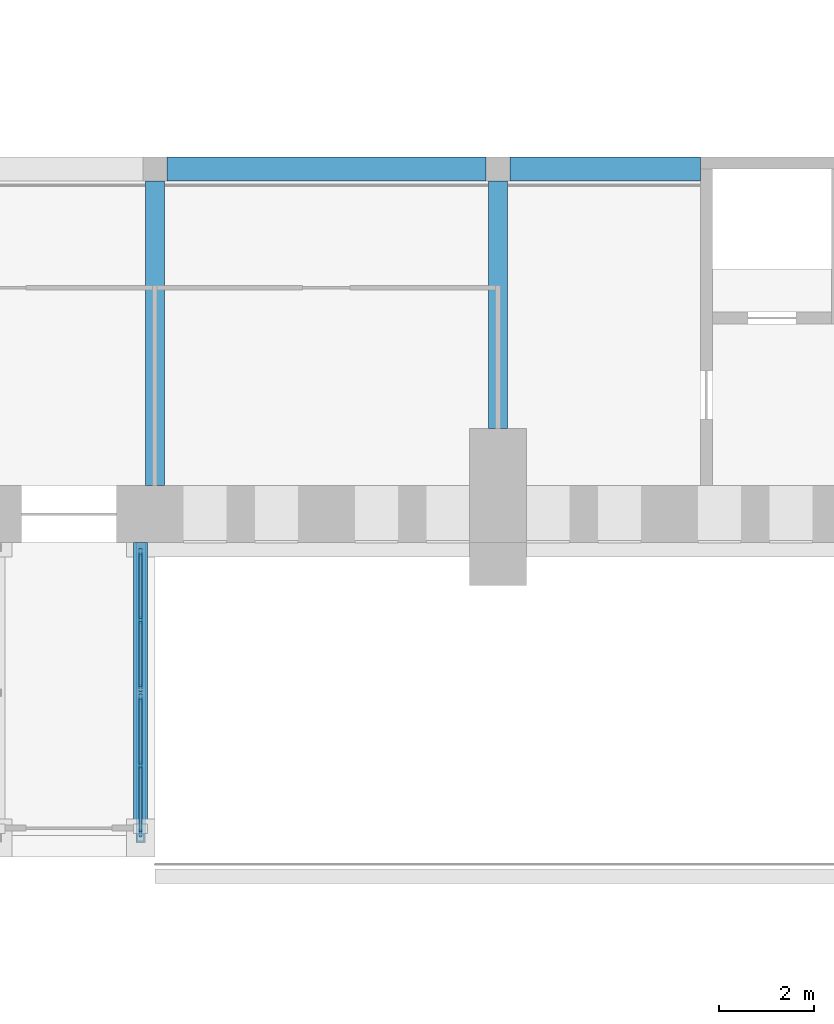
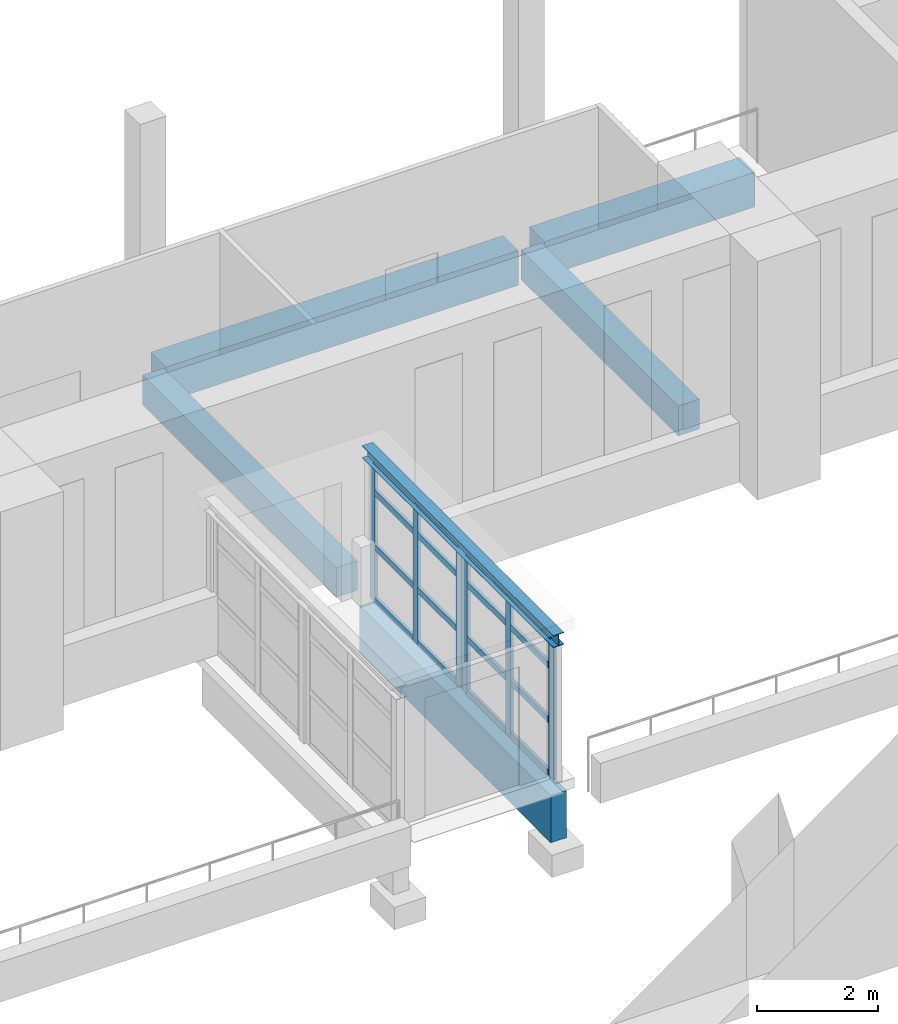
# One storey, part 49 of 131: 22 members, 6 beams, 2 elements without a shape of their own.
"""IFC4 building model written with IfcOpenShell, lengths in metres."""

from ifc_helpers import new_model, si_unit, direction, frame, origin, origin_2d, place, context, subcontext, project, spatial, rectangle, i_section, extrude, material, layer, layer_set, material_profile, profile_set, type_object, element, aggregate, save


model = new_model("IFC4")

# Units and contexts
model_context = context("Model", 3, precision=1e-05, world=origin(), true_north=direction((0.0, 1.0)))
body_context = subcontext(model_context, "Body", "Model", "MODEL_VIEW")
ifc_project = project(units=[si_unit("LENGTHUNIT", "METRE"), si_unit("AREAUNIT", "SQUARE_METRE"), si_unit("VOLUMEUNIT", "CUBIC_METRE"), si_unit("PLANEANGLEUNIT", "RADIAN"), si_unit("MASSUNIT", "GRAM", prefix="KILO")], contexts=[model_context])

# Site, building, storey
site_placement = place(None, origin())
site = spatial("IfcSite", under=ifc_project, at=site_placement, CompositionType="ELEMENT")
building_placement = place(site_placement, origin())
building = spatial("IfcBuilding", under=site, at=building_placement, Name="Alderwick Market Hall", CompositionType="ELEMENT")
storey_placement = place(building_placement, frame((0.0, 0.0, 4.800048828125)))
storey = spatial("IfcBuildingStorey", under=building, at=storey_placement, Name="L00", CompositionType="ELEMENT", Elevation=4.800048828125)

# Beams
ifc_material_1 = material(Name="Concrete 5000 psi (f'c 35 MPa)", Category="concrete")
ifc_material_profile_1 = material_profile(ifc_material_1, rectangle(XDim=0.5, YDim=0.699951171875, at=origin_2d()), Name="RC 500x700")
ifc_profile_set_1 = profile_set([ifc_material_profile_1], Name="Concrete 5000 psi (f'c 35 MPa)")
beam_type_1 = type_object("IfcBeamType", Name="H Edge beam 500x700", PredefinedType="BEAM", material=ifc_profile_set_1)
beam_1_placement = place(storey_placement, frame((129.85009765625, 57.639892578125, -0.60009765625), z_axis=(1.0, 0.0, 0.0), x_axis=(0.0, 1.0, 0.0)))
element("IfcBeam", 1, at=beam_1_placement, inside=storey, type_object=beam_type_1, Name="Gallery edge beam S", PredefinedType="BEAM", context=body_context, shape_type="SweptSolid", body=[
    extrude(rectangle(XDim=0.5, YDim=0.699951171875, at=origin_2d()), origin(), (0.0, 0.0, 1.0), 6.699951171875),
])
beam_2_placement = place(storey_placement, frame((137.050048828125, 57.639892578125, -0.60009765625), z_axis=(1.0, 0.0, 0.0), x_axis=(0.0, 1.0, 0.0)))
element("IfcBeam", 2, at=beam_2_placement, inside=storey, type_object=beam_type_1, Name="Gallery edge beam S", PredefinedType="BEAM", context=body_context, shape_type="SweptSolid", body=[
    extrude(rectangle(XDim=0.5, YDim=0.699951171875, at=origin_2d()), origin(), (0.0, 0.0, 1.0), 4.0),
])
ifc_material_profile_2 = material_profile(ifc_material_1, rectangle(XDim=0.39990234375, YDim=0.60009765625, at=origin_2d()), Name="RC 400x600")
ifc_profile_set_2 = profile_set([ifc_material_profile_2], Name="Concrete 5000 psi (f'c 35 MPa)")
beam_type_2 = type_object("IfcBeamType", Name="H Gallery beam 400x600", PredefinedType="BEAM", material=ifc_profile_set_2)
beam_3_placement = place(storey_placement, frame((129.60009765625, 51.0, -0.550048828125), z_axis=(0.0, 1.0, 0.0), x_axis=(-1.0, 0.0, 0.0)))
element("IfcBeam", 3, at=beam_3_placement, inside=storey, type_object=beam_type_2, Name="Gallery beam S", PredefinedType="BEAM", context=body_context, shape_type="SweptSolid", body=[
    extrude(rectangle(XDim=0.39990234375, YDim=0.60009765625, at=origin_2d()), origin(), (0.0, 0.0, 1.0), 6.389892578125),
])
beam_4_placement = place(storey_placement, frame((136.800048828125, 52.199951171875, -0.550048828125), z_axis=(0.0, 1.0, 0.0), x_axis=(-1.0, 0.0, 0.0)))
element("IfcBeam", 4, at=beam_4_placement, inside=storey, type_object=beam_type_2, Name="Gallery beam S", PredefinedType="BEAM", context=body_context, shape_type="SweptSolid", body=[
    extrude(rectangle(XDim=0.39990234375, YDim=0.60009765625, at=origin_2d()), origin(), (0.0, 0.0, 1.0), 5.18994140625),
])

# Curtain wall, members
ifc_material_2 = material(Name="Aluminium frame", Category="aluminium")
ifc_layer = layer(ifc_material_2, 0.10009765625)
ifc_layer_set = layer_set([ifc_layer], Name="Aluminium frame")
curtain_wall_type = type_object("IfcCurtainWallType", Name="P Curtain Wall 100", PredefinedType="NOTDEFINED", material=ifc_layer_set)
curtain_wall_1_placement = place(storey_placement, origin())
curtain_wall_1 = element("IfcCurtainWall", 5, at=curtain_wall_1_placement, inside=storey, type_object=curtain_wall_type, Name="P.P4.cw.b0", PredefinedType="NOTDEFINED")
ifc_material_profile_3 = material_profile(ifc_material_2, rectangle(XDim=0.06005859375, YDim=0.159912109375, at=origin_2d()), Name="P Mullion 60x160")
ifc_profile_set_3 = profile_set([ifc_material_profile_3], Name="Aluminium frame")
member_type_1 = type_object("IfcMemberType", Name="P Mullion 60x160", PredefinedType="MULLION", material=ifc_profile_set_3)
member_1_placement = place(storey_placement, frame((129.300048828125, 43.7060546875, 0.0), z_axis=(0.0, 0.0, 1.0), x_axis=(-1.0, 0.0, 0.0)))
member_1 = element("IfcMember", 6, at=member_1_placement, type_object=member_type_1, Name="P-CW4b0 mullion 1", PredefinedType="MULLION", context=body_context, shape_type="SweptSolid", body=[
    extrude(rectangle(XDim=0.06005859375, YDim=0.159912109375, at=origin_2d()), origin(), (0.0, 0.0, 1.0), 2.7529296875),
])
member_2_placement = place(storey_placement, frame((129.300048828125, 45.125, 0.0), z_axis=(0.0, 0.0, 1.0), x_axis=(-1.0, 0.0, 0.0)))
member_2 = element("IfcMember", 7, at=member_2_placement, type_object=member_type_1, Name="P-CW4b0 mullion 2", PredefinedType="MULLION", context=body_context, shape_type="SweptSolid", body=[
    extrude(rectangle(XDim=0.06005859375, YDim=0.159912109375, at=origin_2d()), origin(), (0.0, 0.0, 1.0), 2.7529296875),
])
member_3_placement = place(storey_placement, frame((129.300048828125, 46.5439453125, 0.0), z_axis=(0.0, 0.0, 1.0), x_axis=(-1.0, 0.0, 0.0)))
member_3 = element("IfcMember", 8, at=member_3_placement, type_object=member_type_1, Name="P-CW4b0 mullion 3", PredefinedType="MULLION", context=body_context, shape_type="SweptSolid", body=[
    extrude(rectangle(XDim=0.06005859375, YDim=0.159912109375, at=origin_2d()), origin(), (0.0, 0.0, 1.0), 2.7529296875),
])

curtain_wall_2_placement = place(storey_placement, origin())
curtain_wall_2 = element("IfcCurtainWall", 9, at=curtain_wall_2_placement, inside=storey, type_object=curtain_wall_type, Name="P.P4.cw.b1", PredefinedType="NOTDEFINED")
member_4_placement = place(storey_placement, frame((129.300048828125, 46.756103515625, 0.0), z_axis=(0.0, 0.0, 1.0), x_axis=(-1.0, 0.0, 0.0)))
member_4 = element("IfcMember", 10, at=member_4_placement, type_object=member_type_1, Name="P-CW4b1 mullion 1", PredefinedType="MULLION", context=body_context, shape_type="SweptSolid", body=[
    extrude(rectangle(XDim=0.06005859375, YDim=0.159912109375, at=origin_2d()), origin(), (0.0, 0.0, 1.0), 2.7529296875),
])
member_5_placement = place(storey_placement, frame((129.300048828125, 48.175048828125, 0.0), z_axis=(0.0, 0.0, 1.0), x_axis=(-1.0, 0.0, 0.0)))
member_5 = element("IfcMember", 11, at=member_5_placement, type_object=member_type_1, Name="P-CW4b1 mullion 2", PredefinedType="MULLION", context=body_context, shape_type="SweptSolid", body=[
    extrude(rectangle(XDim=0.06005859375, YDim=0.159912109375, at=origin_2d()), origin(), (0.0, 0.0, 1.0), 2.7529296875),
])
member_6_placement = place(storey_placement, frame((129.300048828125, 49.593994140625, 0.0), z_axis=(0.0, 0.0, 1.0), x_axis=(-1.0, 0.0, 0.0)))
member_6 = element("IfcMember", 12, at=member_6_placement, type_object=member_type_1, Name="P-CW4b1 mullion 3", PredefinedType="MULLION", context=body_context, shape_type="SweptSolid", body=[
    extrude(rectangle(XDim=0.06005859375, YDim=0.159912109375, at=origin_2d()), origin(), (0.0, 0.0, 1.0), 2.7529296875),
])

# Beams
ifc_material_profile_4 = material_profile(ifc_material_1, rectangle(XDim=0.300048828125, YDim=0.949951171875, at=origin_2d()), Name="P RC Edge Girder 300x950")
ifc_profile_set_4 = profile_set([ifc_material_profile_4], Name="Concrete 5000 psi (f'c 35 MPa)")
beam_type_3 = type_object("IfcBeamType", Name="P RC Edge Girder 300x950", PredefinedType="BEAM", material=ifc_profile_set_4)
beam_5_placement = place(storey_placement, frame((129.300048828125, 43.5, -0.675048828125), z_axis=(0.0, 1.0, 0.0), x_axis=(-1.0, 0.0, 0.0)))
element("IfcBeam", 13, at=beam_5_placement, inside=storey, type_object=beam_type_3, Name="P.P4.girder.b", PredefinedType="BEAM", context=body_context, shape_type="SweptSolid", body=[
    extrude(rectangle(XDim=0.300048828125, YDim=0.949951171875, at=origin_2d()), origin(), (0.0, 0.0, 1.0), 6.300048828125),
])
ifc_material_3 = material(Name="Steel ASTM A992 Grade 50", Category="steel")
ifc_material_profile_5 = material_profile(ifc_material_3, i_section(OverallWidth=0.201904296875, OverallDepth=0.2470703125, WebThickness=0.00732421875, FlangeThickness=0.010986328125, at=origin_2d()), Name="W250x49")
ifc_profile_set_5 = profile_set([ifc_material_profile_5], Name="Steel ASTM A992 Grade 50")
beam_type_4 = type_object("IfcBeamType", Name="P Roof Beam W250x49", PredefinedType="BEAM", material=ifc_profile_set_5)
beam_6_placement = place(storey_placement, frame((129.300048828125, 43.5, 2.87646484375), z_axis=(0.0, 1.0, 0.0), x_axis=(-1.0, 0.0, 0.0)))
element("IfcBeam", 14, at=beam_6_placement, inside=storey, type_object=beam_type_4, Name="P.P4.rbeam.b", PredefinedType="BEAM", context=body_context, shape_type="SweptSolid", body=[
    extrude(i_section(OverallWidth=0.201904296875, OverallDepth=0.2470703125, WebThickness=0.00732421875, FlangeThickness=0.010986328125, at=origin_2d()), origin(), (0.0, 0.0, 1.0), 6.300048828125),
])

# Member
ifc_material_profile_6 = material_profile(ifc_material_2, rectangle(XDim=0.06005859375, YDim=0.1201171875, at=origin_2d()), Name="P Transom 60x120")
ifc_profile_set_6 = profile_set([ifc_material_profile_6], Name="Aluminium frame")
member_type_2 = type_object("IfcMemberType", Name="P Transom 60x120", PredefinedType="USERDEFINED", material=ifc_profile_set_6)
member_7_placement = place(storey_placement, frame((129.300048828125, 43.736083984375, 0.030029296875), z_axis=(0.0, 1.0, 0.0), x_axis=(-1.0, 0.0, 0.0)))
member_7 = element("IfcMember", 15, at=member_7_placement, type_object=member_type_2, Name="P-CW4b0 transom 1.1", ObjectType="TRANSOM", PredefinedType="USERDEFINED", context=body_context, shape_type="SweptSolid", body=[
    extrude(rectangle(XDim=0.06005859375, YDim=0.1201171875, at=origin_2d()), origin(), (0.0, 0.0, 1.0), 1.35888671875),
])

member_8_placement = place(storey_placement, frame((129.300048828125, 43.736083984375, 1.099853515625), z_axis=(0.0, 1.0, 0.0), x_axis=(-1.0, 0.0, 0.0)))
member_8 = element("IfcMember", 16, at=member_8_placement, type_object=member_type_2, Name="P-CW4b0 transom 1.2", ObjectType="TRANSOM", PredefinedType="USERDEFINED", context=body_context, shape_type="SweptSolid", body=[
    extrude(rectangle(XDim=0.06005859375, YDim=0.1201171875, at=origin_2d()), origin(), (0.0, 0.0, 1.0), 1.35888671875),
])

member_9_placement = place(storey_placement, frame((129.300048828125, 43.736083984375, 2.199951171875), z_axis=(0.0, 1.0, 0.0), x_axis=(-1.0, 0.0, 0.0)))
member_9 = element("IfcMember", 17, at=member_9_placement, type_object=member_type_2, Name="P-CW4b0 transom 1.3", ObjectType="TRANSOM", PredefinedType="USERDEFINED", context=body_context, shape_type="SweptSolid", body=[
    extrude(rectangle(XDim=0.06005859375, YDim=0.1201171875, at=origin_2d()), origin(), (0.0, 0.0, 1.0), 1.35888671875),
])

member_10_placement = place(storey_placement, frame((129.300048828125, 43.736083984375, 2.722900390625), z_axis=(0.0, 1.0, 0.0), x_axis=(-1.0, 0.0, 0.0)))
member_10 = element("IfcMember", 18, at=member_10_placement, type_object=member_type_2, Name="P-CW4b0 transom 1.4", ObjectType="TRANSOM", PredefinedType="USERDEFINED", context=body_context, shape_type="SweptSolid", body=[
    extrude(rectangle(XDim=0.06005859375, YDim=0.1201171875, at=origin_2d()), origin(), (0.0, 0.0, 1.0), 1.35888671875),
])

member_11_placement = place(storey_placement, frame((129.300048828125, 45.155029296875, 0.030029296875), z_axis=(0.0, 1.0, 0.0), x_axis=(-1.0, 0.0, 0.0)))
member_11 = element("IfcMember", 19, at=member_11_placement, type_object=member_type_2, Name="P-CW4b0 transom 2.1", ObjectType="TRANSOM", PredefinedType="USERDEFINED", context=body_context, shape_type="SweptSolid", body=[
    extrude(rectangle(XDim=0.06005859375, YDim=0.1201171875, at=origin_2d()), origin(), (0.0, 0.0, 1.0), 1.35888671875),
])

member_12_placement = place(storey_placement, frame((129.300048828125, 45.155029296875, 1.099853515625), z_axis=(0.0, 1.0, 0.0), x_axis=(-1.0, 0.0, 0.0)))
member_12 = element("IfcMember", 20, at=member_12_placement, type_object=member_type_2, Name="P-CW4b0 transom 2.2", ObjectType="TRANSOM", PredefinedType="USERDEFINED", context=body_context, shape_type="SweptSolid", body=[
    extrude(rectangle(XDim=0.06005859375, YDim=0.1201171875, at=origin_2d()), origin(), (0.0, 0.0, 1.0), 1.35888671875),
])

member_13_placement = place(storey_placement, frame((129.300048828125, 45.155029296875, 2.199951171875), z_axis=(0.0, 1.0, 0.0), x_axis=(-1.0, 0.0, 0.0)))
member_13 = element("IfcMember", 21, at=member_13_placement, type_object=member_type_2, Name="P-CW4b0 transom 2.3", ObjectType="TRANSOM", PredefinedType="USERDEFINED", context=body_context, shape_type="SweptSolid", body=[
    extrude(rectangle(XDim=0.06005859375, YDim=0.1201171875, at=origin_2d()), origin(), (0.0, 0.0, 1.0), 1.35888671875),
])

member_14_placement = place(storey_placement, frame((129.300048828125, 45.155029296875, 2.722900390625), z_axis=(0.0, 1.0, 0.0), x_axis=(-1.0, 0.0, 0.0)))
member_14 = element("IfcMember", 22, at=member_14_placement, type_object=member_type_2, Name="P-CW4b0 transom 2.4", ObjectType="TRANSOM", PredefinedType="USERDEFINED", context=body_context, shape_type="SweptSolid", body=[
    extrude(rectangle(XDim=0.06005859375, YDim=0.1201171875, at=origin_2d()), origin(), (0.0, 0.0, 1.0), 1.35888671875),
])

aggregate(curtain_wall_1, [member_1, member_2, member_3, member_7, member_8, member_9, member_10, member_11, member_12, member_13, member_14])

member_15_placement = place(storey_placement, frame((129.300048828125, 46.785888671875, 0.030029296875), z_axis=(0.0, 1.0, 0.0), x_axis=(-1.0, 0.0, 0.0)))
member_15 = element("IfcMember", 23, at=member_15_placement, type_object=member_type_2, Name="P-CW4b1 transom 1.1", ObjectType="TRANSOM", PredefinedType="USERDEFINED", context=body_context, shape_type="SweptSolid", body=[
    extrude(rectangle(XDim=0.06005859375, YDim=0.1201171875, at=origin_2d()), origin(), (0.0, 0.0, 1.0), 1.359130859375),
])

member_16_placement = place(storey_placement, frame((129.300048828125, 46.785888671875, 1.099853515625), z_axis=(0.0, 1.0, 0.0), x_axis=(-1.0, 0.0, 0.0)))
member_16 = element("IfcMember", 24, at=member_16_placement, type_object=member_type_2, Name="P-CW4b1 transom 1.2", ObjectType="TRANSOM", PredefinedType="USERDEFINED", context=body_context, shape_type="SweptSolid", body=[
    extrude(rectangle(XDim=0.06005859375, YDim=0.1201171875, at=origin_2d()), origin(), (0.0, 0.0, 1.0), 1.359130859375),
])

member_17_placement = place(storey_placement, frame((129.300048828125, 46.785888671875, 2.199951171875), z_axis=(0.0, 1.0, 0.0), x_axis=(-1.0, 0.0, 0.0)))
member_17 = element("IfcMember", 25, at=member_17_placement, type_object=member_type_2, Name="P-CW4b1 transom 1.3", ObjectType="TRANSOM", PredefinedType="USERDEFINED", context=body_context, shape_type="SweptSolid", body=[
    extrude(rectangle(XDim=0.06005859375, YDim=0.1201171875, at=origin_2d()), origin(), (0.0, 0.0, 1.0), 1.359130859375),
])

member_18_placement = place(storey_placement, frame((129.300048828125, 46.785888671875, 2.722900390625), z_axis=(0.0, 1.0, 0.0), x_axis=(-1.0, 0.0, 0.0)))
member_18 = element("IfcMember", 26, at=member_18_placement, type_object=member_type_2, Name="P-CW4b1 transom 1.4", ObjectType="TRANSOM", PredefinedType="USERDEFINED", context=body_context, shape_type="SweptSolid", body=[
    extrude(rectangle(XDim=0.06005859375, YDim=0.1201171875, at=origin_2d()), origin(), (0.0, 0.0, 1.0), 1.359130859375),
])

member_19_placement = place(storey_placement, frame((129.300048828125, 48.205078125, 0.030029296875), z_axis=(0.0, 1.0, 0.0), x_axis=(-1.0, 0.0, 0.0)))
member_19 = element("IfcMember", 27, at=member_19_placement, type_object=member_type_2, Name="P-CW4b1 transom 2.1", ObjectType="TRANSOM", PredefinedType="USERDEFINED", context=body_context, shape_type="SweptSolid", body=[
    extrude(rectangle(XDim=0.06005859375, YDim=0.1201171875, at=origin_2d()), origin(), (0.0, 0.0, 1.0), 1.35888671875),
])

member_20_placement = place(storey_placement, frame((129.300048828125, 48.205078125, 1.099853515625), z_axis=(0.0, 1.0, 0.0), x_axis=(-1.0, 0.0, 0.0)))
member_20 = element("IfcMember", 28, at=member_20_placement, type_object=member_type_2, Name="P-CW4b1 transom 2.2", ObjectType="TRANSOM", PredefinedType="USERDEFINED", context=body_context, shape_type="SweptSolid", body=[
    extrude(rectangle(XDim=0.06005859375, YDim=0.1201171875, at=origin_2d()), origin(), (0.0, 0.0, 1.0), 1.35888671875),
])

member_21_placement = place(storey_placement, frame((129.300048828125, 48.205078125, 2.199951171875), z_axis=(0.0, 1.0, 0.0), x_axis=(-1.0, 0.0, 0.0)))
member_21 = element("IfcMember", 29, at=member_21_placement, type_object=member_type_2, Name="P-CW4b1 transom 2.3", ObjectType="TRANSOM", PredefinedType="USERDEFINED", context=body_context, shape_type="SweptSolid", body=[
    extrude(rectangle(XDim=0.06005859375, YDim=0.1201171875, at=origin_2d()), origin(), (0.0, 0.0, 1.0), 1.35888671875),
])

member_22_placement = place(storey_placement, frame((129.300048828125, 48.205078125, 2.722900390625), z_axis=(0.0, 1.0, 0.0), x_axis=(-1.0, 0.0, 0.0)))
member_22 = element("IfcMember", 30, at=member_22_placement, type_object=member_type_2, Name="P-CW4b1 transom 2.4", ObjectType="TRANSOM", PredefinedType="USERDEFINED", context=body_context, shape_type="SweptSolid", body=[
    extrude(rectangle(XDim=0.06005859375, YDim=0.1201171875, at=origin_2d()), origin(), (0.0, 0.0, 1.0), 1.35888671875),
])

aggregate(curtain_wall_2, [member_4, member_5, member_6, member_15, member_16, member_17, member_18, member_19, member_20, member_21, member_22])

save(model, "model.ifc")
